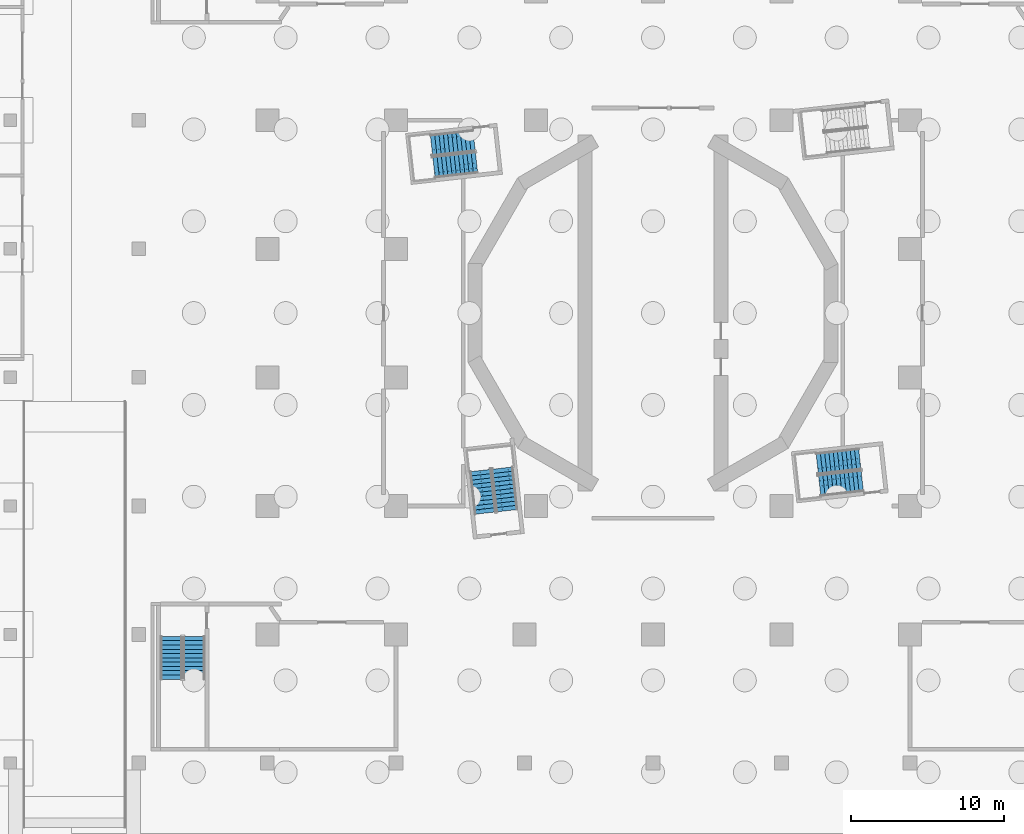
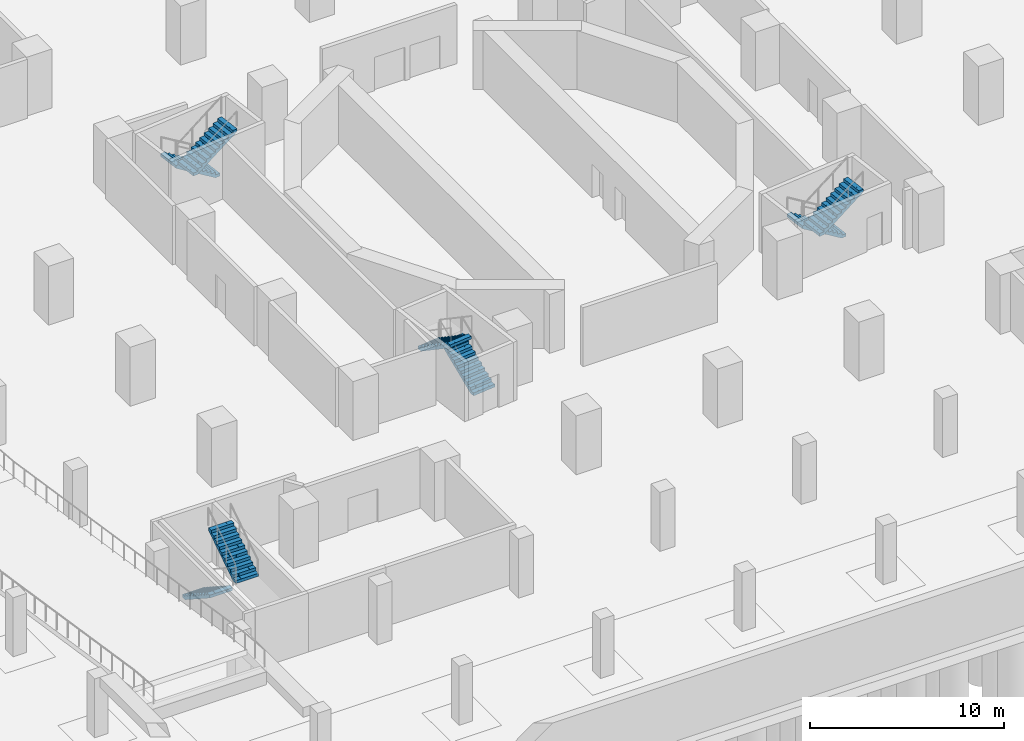
# One storey, part 13 of 20: 8 stair flights, 4 elements without a shape of their own.
"""IFC4 building model written with IfcOpenShell, lengths in metres."""

from ifc_helpers import new_model, si_unit, direction, frame, origin, place, context, subcontext, project, spatial, polyline, outline, extrude, material, type_object, element, aggregate, save


model = new_model("IFC4")

# Units and contexts
model_context = context("Model", 3, precision=1e-05, world=origin(), true_north=direction((0.0, 1.0)))
body_context = subcontext(model_context, "Body", "Model", "MODEL_VIEW")
ifc_project = project(units=[si_unit("LENGTHUNIT", "METRE"), si_unit("AREAUNIT", "SQUARE_METRE"), si_unit("VOLUMEUNIT", "CUBIC_METRE"), si_unit("PLANEANGLEUNIT", "RADIAN"), si_unit("MASSUNIT", "GRAM", prefix="KILO")], contexts=[model_context])

# Site, building, storey
site_placement = place(None, origin())
site = spatial("IfcSite", under=ifc_project, at=site_placement, CompositionType="ELEMENT")
building_placement = place(site_placement, origin())
building = spatial("IfcBuilding", under=site, at=building_placement, Name="Cantera Rosa Tower", CompositionType="ELEMENT")
storey_placement = place(building_placement, frame((0.0, 0.0, -17.0)))
storey = spatial("IfcBuildingStorey", under=building, at=storey_placement, Name="B4", CompositionType="ELEMENT", Elevation=-17.0)

# Stair, stair flights
ifc_material_1 = material(Name="Concrete C35/45", Category="concrete")
stair_type_1 = type_object("IfcStairType", Name="EXIT STAIR 1350 DOGLEG", PredefinedType="HALF_TURN_STAIR", material=ifc_material_1)
stair_1_placement = place(storey_placement, origin())
stair_1 = element("IfcStair", 1, at=stair_1_placement, inside=storey, type_object=stair_type_1, Name="B4 ST-12", PredefinedType="HALF_TURN_STAIR")
ifc_material_2 = material(Name="Concrete C35/45", Category="concrete")
stair_flight_type_1 = type_object("IfcStairFlightType", Name="STAIR FLIGHT 1350 R22x182", PredefinedType="STRAIGHT", material=ifc_material_2)
stair_flight_1_placement = place(storey_placement, frame((-11.691162109375, 11.2998046875, 0.0), z_axis=(0.0, 0.0, 1.0), x_axis=(-0.993896947056, -0.110312549749, 0.0)))
stair_flight_1 = element("IfcStairFlight", 2, at=stair_flight_1_placement, type_object=stair_flight_type_1, Name="ST-12 flight 1", NumberOfRisers=11, NumberOfTreads=10, PredefinedType="STRAIGHT", RiserHeight=0.181818182, TreadLength=0.28, context=body_context, shape_type="SweptSolid", body=[
    extrude(outline(polyline([(0.0, 0.0), (0.0, 0.181884765625), (0.280029296875, 0.181884765625), (0.280029296875, 0.363525390625), (0.56005859375, 0.363525390625), (0.56005859375, 0.54541015625), (0.840087890625, 0.54541015625), (0.840087890625, 0.727294921875), (1.1201171875, 0.727294921875), (1.1201171875, 0.9091796875), (1.39990234375, 0.9091796875), (1.39990234375, 1.0908203125), (1.679931640625, 1.0908203125), (1.679931640625, 1.272705078125), (1.9599609375, 1.272705078125), (1.9599609375, 1.45458984375), (2.239990234375, 1.45458984375), (2.239990234375, 1.636474609375), (2.52001953125, 1.636474609375), (2.52001953125, 1.818115234375), (2.800048828125, 1.818115234375), (2.800048828125, 2.0), (2.800048828125, 1.639404296875), (0.275146484375, 0.0), (0.0, 0.0)])), frame((0.0, 0.675048828125, 0.0), z_axis=(0.0, -1.0, 0.0), x_axis=(1.0, 0.0, 0.0)), (0.0, 0.0, 1.0), 0.3359375),
    extrude(outline(polyline([(0.0, 0.0), (0.0, 0.181884765625), (0.280029296875, 0.181884765625), (0.280029296875, 0.363525390625), (0.56005859375, 0.363525390625), (0.56005859375, 0.54541015625), (0.840087890625, 0.54541015625), (0.840087890625, 0.727294921875), (1.1201171875, 0.727294921875), (1.1201171875, 0.9091796875), (1.39990234375, 0.9091796875), (1.39990234375, 1.0908203125), (1.679931640625, 1.0908203125), (1.679931640625, 1.272705078125), (1.9599609375, 1.272705078125), (1.9599609375, 1.45458984375), (2.239990234375, 1.45458984375), (2.239990234375, 1.636474609375), (2.52001953125, 1.636474609375), (2.52001953125, 1.818115234375), (2.800048828125, 1.818115234375), (2.800048828125, 2.0), (2.800048828125, 1.639404296875), (0.275146484375, 0.0), (0.0, 0.0)])), frame((0.0, 0.337158203125, 0.0), z_axis=(0.0, -1.0, 0.0), x_axis=(1.0, 0.0, 0.0)), (0.0, 0.0, 1.0), 0.3359375),
    extrude(outline(polyline([(0.0, 0.0), (0.0, 0.181884765625), (0.280029296875, 0.181884765625), (0.280029296875, 0.363525390625), (0.56005859375, 0.363525390625), (0.56005859375, 0.54541015625), (0.840087890625, 0.54541015625), (0.840087890625, 0.727294921875), (1.1201171875, 0.727294921875), (1.1201171875, 0.9091796875), (1.39990234375, 0.9091796875), (1.39990234375, 1.0908203125), (1.679931640625, 1.0908203125), (1.679931640625, 1.272705078125), (1.9599609375, 1.272705078125), (1.9599609375, 1.45458984375), (2.239990234375, 1.45458984375), (2.239990234375, 1.636474609375), (2.52001953125, 1.636474609375), (2.52001953125, 1.818115234375), (2.800048828125, 1.818115234375), (2.800048828125, 2.0), (2.800048828125, 1.639404296875), (0.275146484375, 0.0), (0.0, 0.0)])), frame((0.0, -0.000732421875, 0.0), z_axis=(0.0, -1.0, 0.0), x_axis=(1.0, 0.0, 0.0)), (0.0, 0.0, 1.0), 0.3359375),
    extrude(outline(polyline([(0.0, 0.0), (0.0, 0.181884765625), (0.280029296875, 0.181884765625), (0.280029296875, 0.363525390625), (0.56005859375, 0.363525390625), (0.56005859375, 0.54541015625), (0.840087890625, 0.54541015625), (0.840087890625, 0.727294921875), (1.1201171875, 0.727294921875), (1.1201171875, 0.9091796875), (1.39990234375, 0.9091796875), (1.39990234375, 1.0908203125), (1.679931640625, 1.0908203125), (1.679931640625, 1.272705078125), (1.9599609375, 1.272705078125), (1.9599609375, 1.45458984375), (2.239990234375, 1.45458984375), (2.239990234375, 1.636474609375), (2.52001953125, 1.636474609375), (2.52001953125, 1.818115234375), (2.800048828125, 1.818115234375), (2.800048828125, 2.0), (2.800048828125, 1.639404296875), (0.275146484375, 0.0), (0.0, 0.0)])), frame((0.0, -0.338623046875, 0.0), z_axis=(0.0, -1.0, 0.0), x_axis=(1.0, 0.0, 0.0)), (0.0, 0.0, 1.0), 0.3359375),
])
stair_flight_2_placement = place(storey_placement, frame((-14.308837890625, 9.500244140625, 2.0), z_axis=(0.0, 0.0, 1.0), x_axis=(0.993896947056, 0.110312549749, 0.0)))
stair_flight_2 = element("IfcStairFlight", 3, at=stair_flight_2_placement, type_object=stair_flight_type_1, Name="ST-12 flight 2", NumberOfRisers=11, NumberOfTreads=10, PredefinedType="STRAIGHT", RiserHeight=0.181818182, TreadLength=0.28, context=body_context, shape_type="SweptSolid", body=[
    extrude(outline(polyline([(0.0, 0.0), (0.0, 0.181884765625), (0.280029296875, 0.181884765625), (0.280029296875, 0.363525390625), (0.56005859375, 0.363525390625), (0.56005859375, 0.54541015625), (0.840087890625, 0.54541015625), (0.840087890625, 0.727294921875), (1.1201171875, 0.727294921875), (1.1201171875, 0.9091796875), (1.39990234375, 0.9091796875), (1.39990234375, 1.0908203125), (1.679931640625, 1.0908203125), (1.679931640625, 1.272705078125), (1.9599609375, 1.272705078125), (1.9599609375, 1.45458984375), (2.239990234375, 1.45458984375), (2.239990234375, 1.636474609375), (2.52001953125, 1.636474609375), (2.52001953125, 1.818115234375), (2.800048828125, 1.818115234375), (2.800048828125, 2.0), (2.800048828125, 1.639404296875), (0.275146484375, 0.0), (0.0, 0.0)])), frame((0.0, 0.675048828125, 0.0), z_axis=(0.0, -1.0, 0.0), x_axis=(1.0, 0.0, 0.0)), (0.0, 0.0, 1.0), 0.3359375),
    extrude(outline(polyline([(0.0, 0.0), (0.0, 0.181884765625), (0.280029296875, 0.181884765625), (0.280029296875, 0.363525390625), (0.56005859375, 0.363525390625), (0.56005859375, 0.54541015625), (0.840087890625, 0.54541015625), (0.840087890625, 0.727294921875), (1.1201171875, 0.727294921875), (1.1201171875, 0.9091796875), (1.39990234375, 0.9091796875), (1.39990234375, 1.0908203125), (1.679931640625, 1.0908203125), (1.679931640625, 1.272705078125), (1.9599609375, 1.272705078125), (1.9599609375, 1.45458984375), (2.239990234375, 1.45458984375), (2.239990234375, 1.636474609375), (2.52001953125, 1.636474609375), (2.52001953125, 1.818115234375), (2.800048828125, 1.818115234375), (2.800048828125, 2.0), (2.800048828125, 1.639404296875), (0.275146484375, 0.0), (0.0, 0.0)])), frame((0.0, 0.337158203125, 0.0), z_axis=(0.0, -1.0, 0.0), x_axis=(1.0, 0.0, 0.0)), (0.0, 0.0, 1.0), 0.3359375),
    extrude(outline(polyline([(0.0, 0.0), (0.0, 0.181884765625), (0.280029296875, 0.181884765625), (0.280029296875, 0.363525390625), (0.56005859375, 0.363525390625), (0.56005859375, 0.54541015625), (0.840087890625, 0.54541015625), (0.840087890625, 0.727294921875), (1.1201171875, 0.727294921875), (1.1201171875, 0.9091796875), (1.39990234375, 0.9091796875), (1.39990234375, 1.0908203125), (1.679931640625, 1.0908203125), (1.679931640625, 1.272705078125), (1.9599609375, 1.272705078125), (1.9599609375, 1.45458984375), (2.239990234375, 1.45458984375), (2.239990234375, 1.636474609375), (2.52001953125, 1.636474609375), (2.52001953125, 1.818115234375), (2.800048828125, 1.818115234375), (2.800048828125, 2.0), (2.800048828125, 1.639404296875), (0.275146484375, 0.0), (0.0, 0.0)])), frame((0.0, -0.000732421875, 0.0), z_axis=(0.0, -1.0, 0.0), x_axis=(1.0, 0.0, 0.0)), (0.0, 0.0, 1.0), 0.3359375),
    extrude(outline(polyline([(0.0, 0.0), (0.0, 0.181884765625), (0.280029296875, 0.181884765625), (0.280029296875, 0.363525390625), (0.56005859375, 0.363525390625), (0.56005859375, 0.54541015625), (0.840087890625, 0.54541015625), (0.840087890625, 0.727294921875), (1.1201171875, 0.727294921875), (1.1201171875, 0.9091796875), (1.39990234375, 0.9091796875), (1.39990234375, 1.0908203125), (1.679931640625, 1.0908203125), (1.679931640625, 1.272705078125), (1.9599609375, 1.272705078125), (1.9599609375, 1.45458984375), (2.239990234375, 1.45458984375), (2.239990234375, 1.636474609375), (2.52001953125, 1.636474609375), (2.52001953125, 1.818115234375), (2.800048828125, 1.818115234375), (2.800048828125, 2.0), (2.800048828125, 1.639404296875), (0.275146484375, 0.0), (0.0, 0.0)])), frame((0.0, -0.338623046875, 0.0), z_axis=(0.0, -1.0, 0.0), x_axis=(1.0, 0.0, 0.0)), (0.0, 0.0, 1.0), 0.3359375),
])
aggregate(stair_1, [stair_flight_1, stair_flight_2])

stair_2_placement = place(storey_placement, origin())
stair_2 = element("IfcStair", 4, at=stair_2_placement, inside=storey, type_object=stair_type_1, Name="B4 ST-13", PredefinedType="HALF_TURN_STAIR")
stair_flight_3_placement = place(storey_placement, frame((-9.500244140625, -12.90869140625, 0.0), z_axis=(0.0, 0.0, 1.0), x_axis=(-0.110312549749, 0.993896947056, 0.0)))
stair_flight_3 = element("IfcStairFlight", 5, at=stair_flight_3_placement, type_object=stair_flight_type_1, Name="ST-13 flight 1", NumberOfRisers=11, NumberOfTreads=10, PredefinedType="STRAIGHT", RiserHeight=0.181818182, TreadLength=0.28, context=body_context, shape_type="SweptSolid", body=[
    extrude(outline(polyline([(0.0, 0.0), (0.0, 0.181884765625), (0.280029296875, 0.181884765625), (0.280029296875, 0.363525390625), (0.56005859375, 0.363525390625), (0.56005859375, 0.54541015625), (0.840087890625, 0.54541015625), (0.840087890625, 0.727294921875), (1.1201171875, 0.727294921875), (1.1201171875, 0.9091796875), (1.39990234375, 0.9091796875), (1.39990234375, 1.0908203125), (1.679931640625, 1.0908203125), (1.679931640625, 1.272705078125), (1.9599609375, 1.272705078125), (1.9599609375, 1.45458984375), (2.239990234375, 1.45458984375), (2.239990234375, 1.636474609375), (2.52001953125, 1.636474609375), (2.52001953125, 1.818115234375), (2.800048828125, 1.818115234375), (2.800048828125, 2.0), (2.800048828125, 1.639404296875), (0.275146484375, 0.0), (0.0, 0.0)])), frame((0.0, 0.675048828125, 0.0), z_axis=(0.0, -1.0, 0.0), x_axis=(1.0, 0.0, 0.0)), (0.0, 0.0, 1.0), 0.3359375),
    extrude(outline(polyline([(0.0, 0.0), (0.0, 0.181884765625), (0.280029296875, 0.181884765625), (0.280029296875, 0.363525390625), (0.56005859375, 0.363525390625), (0.56005859375, 0.54541015625), (0.840087890625, 0.54541015625), (0.840087890625, 0.727294921875), (1.1201171875, 0.727294921875), (1.1201171875, 0.9091796875), (1.39990234375, 0.9091796875), (1.39990234375, 1.0908203125), (1.679931640625, 1.0908203125), (1.679931640625, 1.272705078125), (1.9599609375, 1.272705078125), (1.9599609375, 1.45458984375), (2.239990234375, 1.45458984375), (2.239990234375, 1.636474609375), (2.52001953125, 1.636474609375), (2.52001953125, 1.818115234375), (2.800048828125, 1.818115234375), (2.800048828125, 2.0), (2.800048828125, 1.639404296875), (0.275146484375, 0.0), (0.0, 0.0)])), frame((0.0, 0.337158203125, 0.0), z_axis=(0.0, -1.0, 0.0), x_axis=(1.0, 0.0, 0.0)), (0.0, 0.0, 1.0), 0.3359375),
    extrude(outline(polyline([(0.0, 0.0), (0.0, 0.181884765625), (0.280029296875, 0.181884765625), (0.280029296875, 0.363525390625), (0.56005859375, 0.363525390625), (0.56005859375, 0.54541015625), (0.840087890625, 0.54541015625), (0.840087890625, 0.727294921875), (1.1201171875, 0.727294921875), (1.1201171875, 0.9091796875), (1.39990234375, 0.9091796875), (1.39990234375, 1.0908203125), (1.679931640625, 1.0908203125), (1.679931640625, 1.272705078125), (1.9599609375, 1.272705078125), (1.9599609375, 1.45458984375), (2.239990234375, 1.45458984375), (2.239990234375, 1.636474609375), (2.52001953125, 1.636474609375), (2.52001953125, 1.818115234375), (2.800048828125, 1.818115234375), (2.800048828125, 2.0), (2.800048828125, 1.639404296875), (0.275146484375, 0.0), (0.0, 0.0)])), frame((0.0, -0.000732421875, 0.0), z_axis=(0.0, -1.0, 0.0), x_axis=(1.0, 0.0, 0.0)), (0.0, 0.0, 1.0), 0.3359375),
    extrude(outline(polyline([(0.0, 0.0), (0.0, 0.181884765625), (0.280029296875, 0.181884765625), (0.280029296875, 0.363525390625), (0.56005859375, 0.363525390625), (0.56005859375, 0.54541015625), (0.840087890625, 0.54541015625), (0.840087890625, 0.727294921875), (1.1201171875, 0.727294921875), (1.1201171875, 0.9091796875), (1.39990234375, 0.9091796875), (1.39990234375, 1.0908203125), (1.679931640625, 1.0908203125), (1.679931640625, 1.272705078125), (1.9599609375, 1.272705078125), (1.9599609375, 1.45458984375), (2.239990234375, 1.45458984375), (2.239990234375, 1.636474609375), (2.52001953125, 1.636474609375), (2.52001953125, 1.818115234375), (2.800048828125, 1.818115234375), (2.800048828125, 2.0), (2.800048828125, 1.639404296875), (0.275146484375, 0.0), (0.0, 0.0)])), frame((0.0, -0.338623046875, 0.0), z_axis=(0.0, -1.0, 0.0), x_axis=(1.0, 0.0, 0.0)), (0.0, 0.0, 1.0), 0.3359375),
])
stair_flight_4_placement = place(storey_placement, frame((-11.2998046875, -10.291259765625, 2.0), z_axis=(0.0, 0.0, 1.0), x_axis=(0.110312549749, -0.993896947056, 0.0)))
stair_flight_4 = element("IfcStairFlight", 6, at=stair_flight_4_placement, type_object=stair_flight_type_1, Name="ST-13 flight 2", NumberOfRisers=11, NumberOfTreads=10, PredefinedType="STRAIGHT", RiserHeight=0.181818182, TreadLength=0.28, context=body_context, shape_type="SweptSolid", body=[
    extrude(outline(polyline([(0.0, 0.0), (0.0, 0.181884765625), (0.280029296875, 0.181884765625), (0.280029296875, 0.363525390625), (0.56005859375, 0.363525390625), (0.56005859375, 0.54541015625), (0.840087890625, 0.54541015625), (0.840087890625, 0.727294921875), (1.1201171875, 0.727294921875), (1.1201171875, 0.9091796875), (1.39990234375, 0.9091796875), (1.39990234375, 1.0908203125), (1.679931640625, 1.0908203125), (1.679931640625, 1.272705078125), (1.9599609375, 1.272705078125), (1.9599609375, 1.45458984375), (2.239990234375, 1.45458984375), (2.239990234375, 1.636474609375), (2.52001953125, 1.636474609375), (2.52001953125, 1.818115234375), (2.800048828125, 1.818115234375), (2.800048828125, 2.0), (2.800048828125, 1.639404296875), (0.275146484375, 0.0), (0.0, 0.0)])), frame((0.0, 0.675048828125, 0.0), z_axis=(0.0, -1.0, 0.0), x_axis=(1.0, 0.0, 0.0)), (0.0, 0.0, 1.0), 0.3359375),
    extrude(outline(polyline([(0.0, 0.0), (0.0, 0.181884765625), (0.280029296875, 0.181884765625), (0.280029296875, 0.363525390625), (0.56005859375, 0.363525390625), (0.56005859375, 0.54541015625), (0.840087890625, 0.54541015625), (0.840087890625, 0.727294921875), (1.1201171875, 0.727294921875), (1.1201171875, 0.9091796875), (1.39990234375, 0.9091796875), (1.39990234375, 1.0908203125), (1.679931640625, 1.0908203125), (1.679931640625, 1.272705078125), (1.9599609375, 1.272705078125), (1.9599609375, 1.45458984375), (2.239990234375, 1.45458984375), (2.239990234375, 1.636474609375), (2.52001953125, 1.636474609375), (2.52001953125, 1.818115234375), (2.800048828125, 1.818115234375), (2.800048828125, 2.0), (2.800048828125, 1.639404296875), (0.275146484375, 0.0), (0.0, 0.0)])), frame((0.0, 0.337158203125, 0.0), z_axis=(0.0, -1.0, 0.0), x_axis=(1.0, 0.0, 0.0)), (0.0, 0.0, 1.0), 0.3359375),
    extrude(outline(polyline([(0.0, 0.0), (0.0, 0.181884765625), (0.280029296875, 0.181884765625), (0.280029296875, 0.363525390625), (0.56005859375, 0.363525390625), (0.56005859375, 0.54541015625), (0.840087890625, 0.54541015625), (0.840087890625, 0.727294921875), (1.1201171875, 0.727294921875), (1.1201171875, 0.9091796875), (1.39990234375, 0.9091796875), (1.39990234375, 1.0908203125), (1.679931640625, 1.0908203125), (1.679931640625, 1.272705078125), (1.9599609375, 1.272705078125), (1.9599609375, 1.45458984375), (2.239990234375, 1.45458984375), (2.239990234375, 1.636474609375), (2.52001953125, 1.636474609375), (2.52001953125, 1.818115234375), (2.800048828125, 1.818115234375), (2.800048828125, 2.0), (2.800048828125, 1.639404296875), (0.275146484375, 0.0), (0.0, 0.0)])), frame((0.0, -0.000732421875, 0.0), z_axis=(0.0, -1.0, 0.0), x_axis=(1.0, 0.0, 0.0)), (0.0, 0.0, 1.0), 0.3359375),
    extrude(outline(polyline([(0.0, 0.0), (0.0, 0.181884765625), (0.280029296875, 0.181884765625), (0.280029296875, 0.363525390625), (0.56005859375, 0.363525390625), (0.56005859375, 0.54541015625), (0.840087890625, 0.54541015625), (0.840087890625, 0.727294921875), (1.1201171875, 0.727294921875), (1.1201171875, 0.9091796875), (1.39990234375, 0.9091796875), (1.39990234375, 1.0908203125), (1.679931640625, 1.0908203125), (1.679931640625, 1.272705078125), (1.9599609375, 1.272705078125), (1.9599609375, 1.45458984375), (2.239990234375, 1.45458984375), (2.239990234375, 1.636474609375), (2.52001953125, 1.636474609375), (2.52001953125, 1.818115234375), (2.800048828125, 1.818115234375), (2.800048828125, 2.0), (2.800048828125, 1.639404296875), (0.275146484375, 0.0), (0.0, 0.0)])), frame((0.0, -0.338623046875, 0.0), z_axis=(0.0, -1.0, 0.0), x_axis=(1.0, 0.0, 0.0)), (0.0, 0.0, 1.0), 0.3359375),
])
aggregate(stair_2, [stair_flight_3, stair_flight_4])

stair_3_placement = place(storey_placement, origin())
stair_3 = element("IfcStair", 7, at=stair_3_placement, inside=storey, type_object=stair_type_1, Name="B4 ST-14", PredefinedType="HALF_TURN_STAIR")
stair_flight_5_placement = place(storey_placement, frame((13.5087890625, -9.500244140625, 0.0), z_axis=(0.0, 0.0, 1.0), x_axis=(-0.993896947056, -0.110312549749, 0.0)))
stair_flight_5 = element("IfcStairFlight", 8, at=stair_flight_5_placement, type_object=stair_flight_type_1, Name="ST-14 flight 1", NumberOfRisers=11, NumberOfTreads=10, PredefinedType="STRAIGHT", RiserHeight=0.181818182, TreadLength=0.28, context=body_context, shape_type="SweptSolid", body=[
    extrude(outline(polyline([(0.0, 0.0), (0.0, 0.181884765625), (0.280029296875, 0.181884765625), (0.280029296875, 0.363525390625), (0.56005859375, 0.363525390625), (0.56005859375, 0.54541015625), (0.840087890625, 0.54541015625), (0.840087890625, 0.727294921875), (1.1201171875, 0.727294921875), (1.1201171875, 0.9091796875), (1.39990234375, 0.9091796875), (1.39990234375, 1.0908203125), (1.679931640625, 1.0908203125), (1.679931640625, 1.272705078125), (1.9599609375, 1.272705078125), (1.9599609375, 1.45458984375), (2.239990234375, 1.45458984375), (2.239990234375, 1.636474609375), (2.52001953125, 1.636474609375), (2.52001953125, 1.818115234375), (2.800048828125, 1.818115234375), (2.800048828125, 2.0), (2.800048828125, 1.639404296875), (0.275146484375, 0.0), (0.0, 0.0)])), frame((0.0, 0.675048828125, 0.0), z_axis=(0.0, -1.0, 0.0), x_axis=(1.0, 0.0, 0.0)), (0.0, 0.0, 1.0), 0.3359375),
    extrude(outline(polyline([(0.0, 0.0), (0.0, 0.181884765625), (0.280029296875, 0.181884765625), (0.280029296875, 0.363525390625), (0.56005859375, 0.363525390625), (0.56005859375, 0.54541015625), (0.840087890625, 0.54541015625), (0.840087890625, 0.727294921875), (1.1201171875, 0.727294921875), (1.1201171875, 0.9091796875), (1.39990234375, 0.9091796875), (1.39990234375, 1.0908203125), (1.679931640625, 1.0908203125), (1.679931640625, 1.272705078125), (1.9599609375, 1.272705078125), (1.9599609375, 1.45458984375), (2.239990234375, 1.45458984375), (2.239990234375, 1.636474609375), (2.52001953125, 1.636474609375), (2.52001953125, 1.818115234375), (2.800048828125, 1.818115234375), (2.800048828125, 2.0), (2.800048828125, 1.639404296875), (0.275146484375, 0.0), (0.0, 0.0)])), frame((0.0, 0.337158203125, 0.0), z_axis=(0.0, -1.0, 0.0), x_axis=(1.0, 0.0, 0.0)), (0.0, 0.0, 1.0), 0.3359375),
    extrude(outline(polyline([(0.0, 0.0), (0.0, 0.181884765625), (0.280029296875, 0.181884765625), (0.280029296875, 0.363525390625), (0.56005859375, 0.363525390625), (0.56005859375, 0.54541015625), (0.840087890625, 0.54541015625), (0.840087890625, 0.727294921875), (1.1201171875, 0.727294921875), (1.1201171875, 0.9091796875), (1.39990234375, 0.9091796875), (1.39990234375, 1.0908203125), (1.679931640625, 1.0908203125), (1.679931640625, 1.272705078125), (1.9599609375, 1.272705078125), (1.9599609375, 1.45458984375), (2.239990234375, 1.45458984375), (2.239990234375, 1.636474609375), (2.52001953125, 1.636474609375), (2.52001953125, 1.818115234375), (2.800048828125, 1.818115234375), (2.800048828125, 2.0), (2.800048828125, 1.639404296875), (0.275146484375, 0.0), (0.0, 0.0)])), frame((0.0, -0.000732421875, 0.0), z_axis=(0.0, -1.0, 0.0), x_axis=(1.0, 0.0, 0.0)), (0.0, 0.0, 1.0), 0.3359375),
    extrude(outline(polyline([(0.0, 0.0), (0.0, 0.181884765625), (0.280029296875, 0.181884765625), (0.280029296875, 0.363525390625), (0.56005859375, 0.363525390625), (0.56005859375, 0.54541015625), (0.840087890625, 0.54541015625), (0.840087890625, 0.727294921875), (1.1201171875, 0.727294921875), (1.1201171875, 0.9091796875), (1.39990234375, 0.9091796875), (1.39990234375, 1.0908203125), (1.679931640625, 1.0908203125), (1.679931640625, 1.272705078125), (1.9599609375, 1.272705078125), (1.9599609375, 1.45458984375), (2.239990234375, 1.45458984375), (2.239990234375, 1.636474609375), (2.52001953125, 1.636474609375), (2.52001953125, 1.818115234375), (2.800048828125, 1.818115234375), (2.800048828125, 2.0), (2.800048828125, 1.639404296875), (0.275146484375, 0.0), (0.0, 0.0)])), frame((0.0, -0.338623046875, 0.0), z_axis=(0.0, -1.0, 0.0), x_axis=(1.0, 0.0, 0.0)), (0.0, 0.0, 1.0), 0.3359375),
])
stair_flight_6_placement = place(storey_placement, frame((10.891357421875, -11.2998046875, 2.0), z_axis=(0.0, 0.0, 1.0), x_axis=(0.993896947056, 0.110312549749, 0.0)))
stair_flight_6 = element("IfcStairFlight", 9, at=stair_flight_6_placement, type_object=stair_flight_type_1, Name="ST-14 flight 2", NumberOfRisers=11, NumberOfTreads=10, PredefinedType="STRAIGHT", RiserHeight=0.181818182, TreadLength=0.28, context=body_context, shape_type="SweptSolid", body=[
    extrude(outline(polyline([(0.0, 0.0), (0.0, 0.181884765625), (0.280029296875, 0.181884765625), (0.280029296875, 0.363525390625), (0.56005859375, 0.363525390625), (0.56005859375, 0.54541015625), (0.840087890625, 0.54541015625), (0.840087890625, 0.727294921875), (1.1201171875, 0.727294921875), (1.1201171875, 0.9091796875), (1.39990234375, 0.9091796875), (1.39990234375, 1.0908203125), (1.679931640625, 1.0908203125), (1.679931640625, 1.272705078125), (1.9599609375, 1.272705078125), (1.9599609375, 1.45458984375), (2.239990234375, 1.45458984375), (2.239990234375, 1.636474609375), (2.52001953125, 1.636474609375), (2.52001953125, 1.818115234375), (2.800048828125, 1.818115234375), (2.800048828125, 2.0), (2.800048828125, 1.639404296875), (0.275146484375, 0.0), (0.0, 0.0)])), frame((0.0, 0.675048828125, 0.0), z_axis=(0.0, -1.0, 0.0), x_axis=(1.0, 0.0, 0.0)), (0.0, 0.0, 1.0), 0.3359375),
    extrude(outline(polyline([(0.0, 0.0), (0.0, 0.181884765625), (0.280029296875, 0.181884765625), (0.280029296875, 0.363525390625), (0.56005859375, 0.363525390625), (0.56005859375, 0.54541015625), (0.840087890625, 0.54541015625), (0.840087890625, 0.727294921875), (1.1201171875, 0.727294921875), (1.1201171875, 0.9091796875), (1.39990234375, 0.9091796875), (1.39990234375, 1.0908203125), (1.679931640625, 1.0908203125), (1.679931640625, 1.272705078125), (1.9599609375, 1.272705078125), (1.9599609375, 1.45458984375), (2.239990234375, 1.45458984375), (2.239990234375, 1.636474609375), (2.52001953125, 1.636474609375), (2.52001953125, 1.818115234375), (2.800048828125, 1.818115234375), (2.800048828125, 2.0), (2.800048828125, 1.639404296875), (0.275146484375, 0.0), (0.0, 0.0)])), frame((0.0, 0.337158203125, 0.0), z_axis=(0.0, -1.0, 0.0), x_axis=(1.0, 0.0, 0.0)), (0.0, 0.0, 1.0), 0.3359375),
    extrude(outline(polyline([(0.0, 0.0), (0.0, 0.181884765625), (0.280029296875, 0.181884765625), (0.280029296875, 0.363525390625), (0.56005859375, 0.363525390625), (0.56005859375, 0.54541015625), (0.840087890625, 0.54541015625), (0.840087890625, 0.727294921875), (1.1201171875, 0.727294921875), (1.1201171875, 0.9091796875), (1.39990234375, 0.9091796875), (1.39990234375, 1.0908203125), (1.679931640625, 1.0908203125), (1.679931640625, 1.272705078125), (1.9599609375, 1.272705078125), (1.9599609375, 1.45458984375), (2.239990234375, 1.45458984375), (2.239990234375, 1.636474609375), (2.52001953125, 1.636474609375), (2.52001953125, 1.818115234375), (2.800048828125, 1.818115234375), (2.800048828125, 2.0), (2.800048828125, 1.639404296875), (0.275146484375, 0.0), (0.0, 0.0)])), frame((0.0, -0.000732421875, 0.0), z_axis=(0.0, -1.0, 0.0), x_axis=(1.0, 0.0, 0.0)), (0.0, 0.0, 1.0), 0.3359375),
    extrude(outline(polyline([(0.0, 0.0), (0.0, 0.181884765625), (0.280029296875, 0.181884765625), (0.280029296875, 0.363525390625), (0.56005859375, 0.363525390625), (0.56005859375, 0.54541015625), (0.840087890625, 0.54541015625), (0.840087890625, 0.727294921875), (1.1201171875, 0.727294921875), (1.1201171875, 0.9091796875), (1.39990234375, 0.9091796875), (1.39990234375, 1.0908203125), (1.679931640625, 1.0908203125), (1.679931640625, 1.272705078125), (1.9599609375, 1.272705078125), (1.9599609375, 1.45458984375), (2.239990234375, 1.45458984375), (2.239990234375, 1.636474609375), (2.52001953125, 1.636474609375), (2.52001953125, 1.818115234375), (2.800048828125, 1.818115234375), (2.800048828125, 2.0), (2.800048828125, 1.639404296875), (0.275146484375, 0.0), (0.0, 0.0)])), frame((0.0, -0.338623046875, 0.0), z_axis=(0.0, -1.0, 0.0), x_axis=(1.0, 0.0, 0.0)), (0.0, 0.0, 1.0), 0.3359375),
])
aggregate(stair_3, [stair_flight_5, stair_flight_6])

ifc_material_3 = material(Name="Concrete C35/45", Category="concrete")
stair_type_2 = type_object("IfcStairType", Name="Stair half-turn 1350", PredefinedType="HALF_TURN_STAIR", material=ifc_material_3)
stair_4_placement = place(storey_placement, origin())
stair_4 = element("IfcStair", 10, at=stair_4_placement, inside=storey, type_object=stair_type_2, Name="B4 ST-SW", PredefinedType="HALF_TURN_STAIR")
ifc_material_4 = material(Name="Concrete C35/45", Category="concrete")
stair_flight_type_2 = type_object("IfcStairFlightType", Name="Stair flight 1350", PredefinedType="STRAIGHT", material=ifc_material_4)
stair_flight_7_placement = place(storey_placement, frame((-31.5, -21.125, 0.0), z_axis=(0.0, 0.0, 1.0), x_axis=(0.0, -1.0, 0.0)))
stair_flight_7 = element("IfcStairFlight", 11, at=stair_flight_7_placement, type_object=stair_flight_type_2, Name="ST-SW flight 1", NumberOfRisers=11, NumberOfTreads=10, PredefinedType="STRAIGHT", RiserHeight=0.181818182, TreadLength=0.28, context=body_context, shape_type="SweptSolid", body=[
    extrude(outline(polyline([(0.0, 0.0), (0.0, 0.181884765625), (0.280029296875, 0.181884765625), (0.280029296875, 0.363525390625), (0.56005859375, 0.363525390625), (0.56005859375, 0.54541015625), (0.840087890625, 0.54541015625), (0.840087890625, 0.727294921875), (1.1201171875, 0.727294921875), (1.1201171875, 0.9091796875), (1.39990234375, 0.9091796875), (1.39990234375, 1.0908203125), (1.679931640625, 1.0908203125), (1.679931640625, 1.272705078125), (1.9599609375, 1.272705078125), (1.9599609375, 1.45458984375), (2.239990234375, 1.45458984375), (2.239990234375, 1.636474609375), (2.52001953125, 1.636474609375), (2.52001953125, 1.818115234375), (2.800048828125, 1.818115234375), (2.800048828125, 2.0), (2.800048828125, 1.639404296875), (0.275146484375, 0.0), (0.0, 0.0)])), frame((0.0, 0.675048828125, 0.0), z_axis=(0.0, -1.0, 0.0), x_axis=(1.0, 0.0, 0.0)), (0.0, 0.0, 1.0), 0.3359375),
    extrude(outline(polyline([(0.0, 0.0), (0.0, 0.181884765625), (0.280029296875, 0.181884765625), (0.280029296875, 0.363525390625), (0.56005859375, 0.363525390625), (0.56005859375, 0.54541015625), (0.840087890625, 0.54541015625), (0.840087890625, 0.727294921875), (1.1201171875, 0.727294921875), (1.1201171875, 0.9091796875), (1.39990234375, 0.9091796875), (1.39990234375, 1.0908203125), (1.679931640625, 1.0908203125), (1.679931640625, 1.272705078125), (1.9599609375, 1.272705078125), (1.9599609375, 1.45458984375), (2.239990234375, 1.45458984375), (2.239990234375, 1.636474609375), (2.52001953125, 1.636474609375), (2.52001953125, 1.818115234375), (2.800048828125, 1.818115234375), (2.800048828125, 2.0), (2.800048828125, 1.639404296875), (0.275146484375, 0.0), (0.0, 0.0)])), frame((0.0, 0.337158203125, 0.0), z_axis=(0.0, -1.0, 0.0), x_axis=(1.0, 0.0, 0.0)), (0.0, 0.0, 1.0), 0.3359375),
    extrude(outline(polyline([(0.0, 0.0), (0.0, 0.181884765625), (0.280029296875, 0.181884765625), (0.280029296875, 0.363525390625), (0.56005859375, 0.363525390625), (0.56005859375, 0.54541015625), (0.840087890625, 0.54541015625), (0.840087890625, 0.727294921875), (1.1201171875, 0.727294921875), (1.1201171875, 0.9091796875), (1.39990234375, 0.9091796875), (1.39990234375, 1.0908203125), (1.679931640625, 1.0908203125), (1.679931640625, 1.272705078125), (1.9599609375, 1.272705078125), (1.9599609375, 1.45458984375), (2.239990234375, 1.45458984375), (2.239990234375, 1.636474609375), (2.52001953125, 1.636474609375), (2.52001953125, 1.818115234375), (2.800048828125, 1.818115234375), (2.800048828125, 2.0), (2.800048828125, 1.639404296875), (0.275146484375, 0.0), (0.0, 0.0)])), frame((0.0, -0.000732421875, 0.0), z_axis=(0.0, -1.0, 0.0), x_axis=(1.0, 0.0, 0.0)), (0.0, 0.0, 1.0), 0.3359375),
    extrude(outline(polyline([(0.0, 0.0), (0.0, 0.181884765625), (0.280029296875, 0.181884765625), (0.280029296875, 0.363525390625), (0.56005859375, 0.363525390625), (0.56005859375, 0.54541015625), (0.840087890625, 0.54541015625), (0.840087890625, 0.727294921875), (1.1201171875, 0.727294921875), (1.1201171875, 0.9091796875), (1.39990234375, 0.9091796875), (1.39990234375, 1.0908203125), (1.679931640625, 1.0908203125), (1.679931640625, 1.272705078125), (1.9599609375, 1.272705078125), (1.9599609375, 1.45458984375), (2.239990234375, 1.45458984375), (2.239990234375, 1.636474609375), (2.52001953125, 1.636474609375), (2.52001953125, 1.818115234375), (2.800048828125, 1.818115234375), (2.800048828125, 2.0), (2.800048828125, 1.639404296875), (0.275146484375, 0.0), (0.0, 0.0)])), frame((0.0, -0.338623046875, 0.0), z_axis=(0.0, -1.0, 0.0), x_axis=(1.0, 0.0, 0.0)), (0.0, 0.0, 1.0), 0.3359375),
])
stair_flight_8_placement = place(storey_placement, frame((-29.949951171875, -23.925048828125, 2.0), z_axis=(0.0, 0.0, 1.0), x_axis=(0.0, 1.0, 0.0)))
stair_flight_8 = element("IfcStairFlight", 12, at=stair_flight_8_placement, type_object=stair_flight_type_2, Name="ST-SW flight 2", NumberOfRisers=11, NumberOfTreads=10, PredefinedType="STRAIGHT", RiserHeight=0.181818182, TreadLength=0.28, context=body_context, shape_type="SweptSolid", body=[
    extrude(outline(polyline([(0.0, 0.0), (0.0, 0.181884765625), (0.280029296875, 0.181884765625), (0.280029296875, 0.363525390625), (0.56005859375, 0.363525390625), (0.56005859375, 0.54541015625), (0.840087890625, 0.54541015625), (0.840087890625, 0.727294921875), (1.1201171875, 0.727294921875), (1.1201171875, 0.9091796875), (1.39990234375, 0.9091796875), (1.39990234375, 1.0908203125), (1.679931640625, 1.0908203125), (1.679931640625, 1.272705078125), (1.9599609375, 1.272705078125), (1.9599609375, 1.45458984375), (2.239990234375, 1.45458984375), (2.239990234375, 1.636474609375), (2.52001953125, 1.636474609375), (2.52001953125, 1.818115234375), (2.800048828125, 1.818115234375), (2.800048828125, 2.0), (2.800048828125, 1.639404296875), (0.275146484375, 0.0), (0.0, 0.0)])), frame((0.0, 0.675048828125, 0.0), z_axis=(0.0, -1.0, 0.0), x_axis=(1.0, 0.0, 0.0)), (0.0, 0.0, 1.0), 0.3359375),
    extrude(outline(polyline([(0.0, 0.0), (0.0, 0.181884765625), (0.280029296875, 0.181884765625), (0.280029296875, 0.363525390625), (0.56005859375, 0.363525390625), (0.56005859375, 0.54541015625), (0.840087890625, 0.54541015625), (0.840087890625, 0.727294921875), (1.1201171875, 0.727294921875), (1.1201171875, 0.9091796875), (1.39990234375, 0.9091796875), (1.39990234375, 1.0908203125), (1.679931640625, 1.0908203125), (1.679931640625, 1.272705078125), (1.9599609375, 1.272705078125), (1.9599609375, 1.45458984375), (2.239990234375, 1.45458984375), (2.239990234375, 1.636474609375), (2.52001953125, 1.636474609375), (2.52001953125, 1.818115234375), (2.800048828125, 1.818115234375), (2.800048828125, 2.0), (2.800048828125, 1.639404296875), (0.275146484375, 0.0), (0.0, 0.0)])), frame((0.0, 0.337158203125, 0.0), z_axis=(0.0, -1.0, 0.0), x_axis=(1.0, 0.0, 0.0)), (0.0, 0.0, 1.0), 0.3359375),
    extrude(outline(polyline([(0.0, 0.0), (0.0, 0.181884765625), (0.280029296875, 0.181884765625), (0.280029296875, 0.363525390625), (0.56005859375, 0.363525390625), (0.56005859375, 0.54541015625), (0.840087890625, 0.54541015625), (0.840087890625, 0.727294921875), (1.1201171875, 0.727294921875), (1.1201171875, 0.9091796875), (1.39990234375, 0.9091796875), (1.39990234375, 1.0908203125), (1.679931640625, 1.0908203125), (1.679931640625, 1.272705078125), (1.9599609375, 1.272705078125), (1.9599609375, 1.45458984375), (2.239990234375, 1.45458984375), (2.239990234375, 1.636474609375), (2.52001953125, 1.636474609375), (2.52001953125, 1.818115234375), (2.800048828125, 1.818115234375), (2.800048828125, 2.0), (2.800048828125, 1.639404296875), (0.275146484375, 0.0), (0.0, 0.0)])), frame((0.0, -0.000732421875, 0.0), z_axis=(0.0, -1.0, 0.0), x_axis=(1.0, 0.0, 0.0)), (0.0, 0.0, 1.0), 0.3359375),
    extrude(outline(polyline([(0.0, 0.0), (0.0, 0.181884765625), (0.280029296875, 0.181884765625), (0.280029296875, 0.363525390625), (0.56005859375, 0.363525390625), (0.56005859375, 0.54541015625), (0.840087890625, 0.54541015625), (0.840087890625, 0.727294921875), (1.1201171875, 0.727294921875), (1.1201171875, 0.9091796875), (1.39990234375, 0.9091796875), (1.39990234375, 1.0908203125), (1.679931640625, 1.0908203125), (1.679931640625, 1.272705078125), (1.9599609375, 1.272705078125), (1.9599609375, 1.45458984375), (2.239990234375, 1.45458984375), (2.239990234375, 1.636474609375), (2.52001953125, 1.636474609375), (2.52001953125, 1.818115234375), (2.800048828125, 1.818115234375), (2.800048828125, 2.0), (2.800048828125, 1.639404296875), (0.275146484375, 0.0), (0.0, 0.0)])), frame((0.0, -0.338623046875, 0.0), z_axis=(0.0, -1.0, 0.0), x_axis=(1.0, 0.0, 0.0)), (0.0, 0.0, 1.0), 0.3359375),
])
aggregate(stair_4, [stair_flight_7, stair_flight_8])

save(model, "model.ifc")
